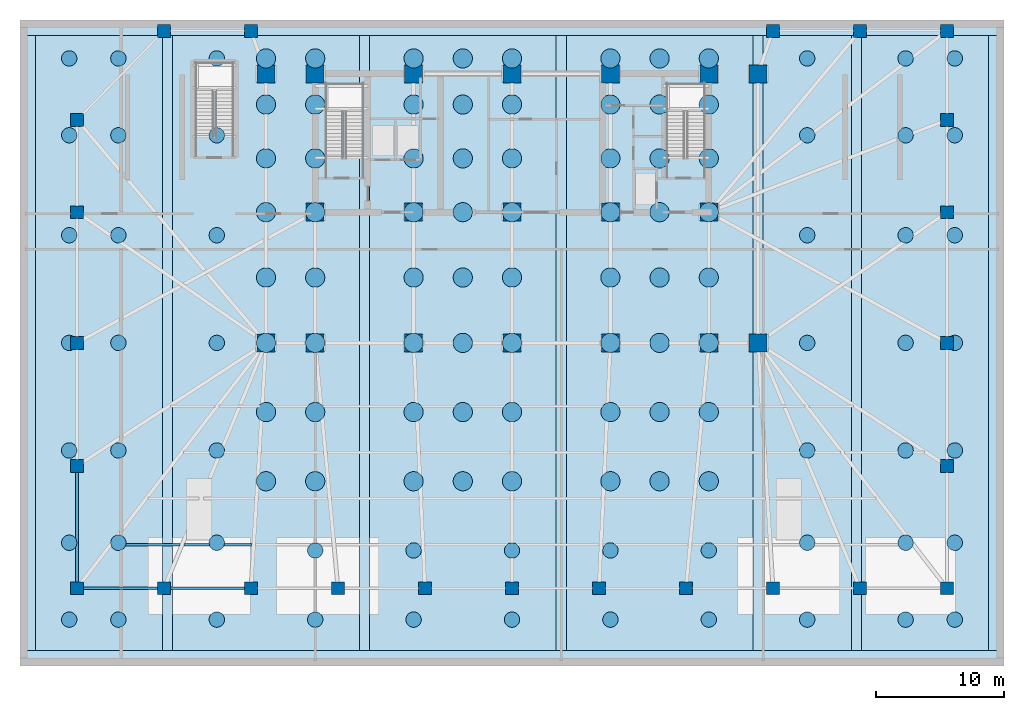
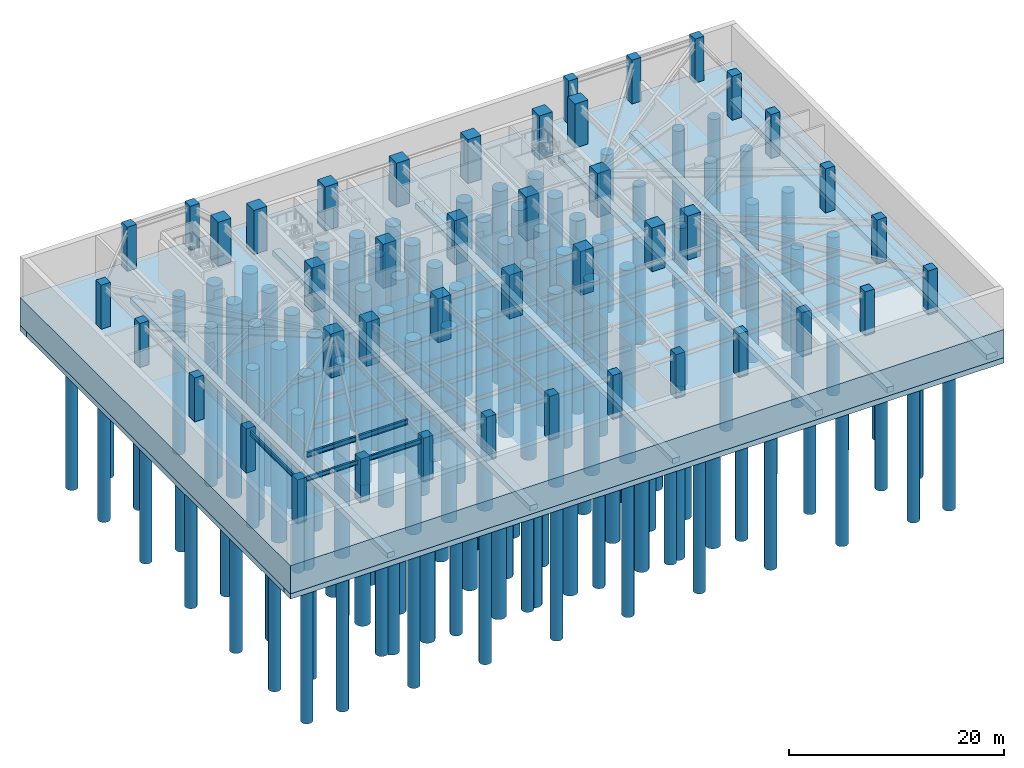
# One storey, part 1 of 9: 116 piles, 43 columns, 10 footings, 5 beams.
"""IFC4 building model written with IfcOpenShell, lengths in metres."""

from ifc_helpers import new_model, si_unit, direction, frame, origin, origin_2d, place, context, subcontext, project, spatial, polyline, rectangle, circle, i_section, outline, extrude, material, layer, layer_set, material_profile, profile_set, type_object, element, save


model = new_model("IFC4")

# Units and contexts
model_context = context("Model", 3, precision=1e-05, world=origin(), true_north=direction((0.0, 1.0)))
body_context = subcontext(model_context, "Body", "Model", "MODEL_VIEW")
ifc_project = project(units=[si_unit("LENGTHUNIT", "METRE"), si_unit("AREAUNIT", "SQUARE_METRE"), si_unit("VOLUMEUNIT", "CUBIC_METRE"), si_unit("PLANEANGLEUNIT", "RADIAN"), si_unit("MASSUNIT", "GRAM", prefix="KILO")], contexts=[model_context])

# Site, building, storey
site_placement = place(None, origin())
site = spatial("IfcSite", under=ifc_project, at=site_placement, CompositionType="ELEMENT")
building_placement = place(site_placement, origin())
building = spatial("IfcBuilding", under=site, at=building_placement, Name="Yelkora Congress Tower", CompositionType="ELEMENT")
storey_placement = place(building_placement, frame((0.0, 0.0, -10.0)))
storey = spatial("IfcBuildingStorey", under=building, at=storey_placement, Name="B02", CompositionType="ELEMENT", Elevation=-10.0)

# Footings
ifc_material_1 = material(Name="Concrete C50/60", Category="concrete")
ifc_layer_1 = layer(ifc_material_1, 0.60009765625)
ifc_layer_set_1 = layer_set([ifc_layer_1], Name="Concrete C50/60")
footing_type_1 = type_object("IfcFootingType", Name="FT-GBEAM-700", PredefinedType="FOOTING_BEAM", material=ifc_layer_set_1)
footing_1_placement = place(storey_placement, frame((0.0, 0.0, -3.800048828125)))
element("IfcFooting", 1, at=footing_1_placement, inside=storey, type_object=footing_type_1, Name="Foundation Stiffening Beam 1", PredefinedType="FOOTING_BEAM", context=body_context, shape_type="SweptSolid", body=[
    extrude(outline(polyline([(11.1201171875, 1.199951171875), (11.919921875, 1.199951171875), (11.919921875, 49.199951171875), (11.1201171875, 49.199951171875), (11.1201171875, 1.199951171875)])), origin(), (0.0, 0.0, 1.0), 0.60009765625),
])
footing_2_placement = place(storey_placement, frame((0.0, 0.0, -3.800048828125)))
element("IfcFooting", 2, at=footing_2_placement, inside=storey, type_object=footing_type_1, Name="Foundation Stiffening Beam 2", PredefinedType="FOOTING_BEAM", context=body_context, shape_type="SweptSolid", body=[
    extrude(outline(polyline([(26.47998046875, 1.199951171875), (27.280029296875, 1.199951171875), (27.280029296875, 49.199951171875), (26.47998046875, 49.199951171875), (26.47998046875, 1.199951171875)])), origin(), (0.0, 0.0, 1.0), 0.60009765625),
])
footing_3_placement = place(storey_placement, frame((0.0, 0.0, -3.800048828125)))
element("IfcFooting", 3, at=footing_3_placement, inside=storey, type_object=footing_type_1, Name="Foundation Stiffening Beam 3", PredefinedType="FOOTING_BEAM", context=body_context, shape_type="SweptSolid", body=[
    extrude(outline(polyline([(41.840087890625, 1.199951171875), (42.639892578125, 1.199951171875), (42.639892578125, 49.199951171875), (41.840087890625, 49.199951171875), (41.840087890625, 1.199951171875)])), origin(), (0.0, 0.0, 1.0), 0.60009765625),
])
footing_4_placement = place(storey_placement, frame((0.0, 0.0, -3.800048828125)))
element("IfcFooting", 4, at=footing_4_placement, inside=storey, type_object=footing_type_1, Name="Foundation Stiffening Beam 4", PredefinedType="FOOTING_BEAM", context=body_context, shape_type="SweptSolid", body=[
    extrude(outline(polyline([(57.199951171875, 1.199951171875), (58.0, 1.199951171875), (58.0, 49.199951171875), (57.199951171875, 49.199951171875), (57.199951171875, 1.199951171875)])), origin(), (0.0, 0.0, 1.0), 0.60009765625),
])
footing_5_placement = place(storey_placement, frame((0.0, 0.0, -3.800048828125)))
element("IfcFooting", 5, at=footing_5_placement, inside=storey, type_object=footing_type_1, Name="Foundation Stiffening Beam 5", PredefinedType="FOOTING_BEAM", context=body_context, shape_type="SweptSolid", body=[
    extrude(outline(polyline([(64.8798828125, 1.199951171875), (65.679931640625, 1.199951171875), (65.679931640625, 49.199951171875), (64.8798828125, 49.199951171875), (64.8798828125, 1.199951171875)])), origin(), (0.0, 0.0, 1.0), 0.60009765625),
])
ifc_layer_2 = layer(ifc_material_1, 3.199951171875)
ifc_layer_set_2 = layer_set([ifc_layer_2], Name="Concrete C50/60")
footing_type_2 = type_object("IfcFootingType", Name="FT-RAFT-3200", PredefinedType="PAD_FOOTING", material=ifc_layer_set_2)
footing_6_placement = place(storey_placement, frame((0.0, 0.0, -3.199951171875)))
element("IfcFooting", 6, at=footing_6_placement, inside=storey, type_object=footing_type_2, Name="Piled Raft Foundation FT-R1", PredefinedType="PAD_FOOTING", context=body_context, shape_type="SweptSolid", body=[
    extrude(outline(polyline([(0.0, 0.0), (76.800048828125, 0.0), (76.800048828125, 50.39990234375), (0.0, 50.39990234375), (0.0, 0.0)])), origin(), (0.0, 0.0, 1.0), 3.199951171875),
])
ifc_layer_3 = layer(ifc_material_1, 0.60009765625)
ifc_layer_set_3 = layer_set([ifc_layer_3], Name="Concrete C50/60")
footing_type_3 = type_object("IfcFootingType", Name="FT-STRIP-800", PredefinedType="STRIP_FOOTING", material=ifc_layer_set_3)
footing_7_placement = place(storey_placement, frame((0.0, 0.0, -3.800048828125)))
element("IfcFooting", 7, at=footing_7_placement, inside=storey, type_object=footing_type_3, Name="Perimeter Toe Strip Footing South", PredefinedType="STRIP_FOOTING", context=body_context, shape_type="SweptSolid", body=[
    extrude(outline(polyline([(0.0, 0.0), (76.800048828125, 0.0), (76.800048828125, 1.199951171875), (0.0, 1.199951171875), (0.0, 0.0)])), origin(), (0.0, 0.0, 1.0), 0.60009765625),
])
footing_8_placement = place(storey_placement, frame((0.0, 0.0, -3.800048828125)))
element("IfcFooting", 8, at=footing_8_placement, inside=storey, type_object=footing_type_3, Name="Perimeter Toe Strip Footing North", PredefinedType="STRIP_FOOTING", context=body_context, shape_type="SweptSolid", body=[
    extrude(outline(polyline([(0.0, 49.199951171875), (76.800048828125, 49.199951171875), (76.800048828125, 50.39990234375), (0.0, 50.39990234375), (0.0, 49.199951171875)])), origin(), (0.0, 0.0, 1.0), 0.60009765625),
])
ifc_layer_4 = layer(ifc_material_1, 0.60009765625)
ifc_layer_set_4 = layer_set([ifc_layer_4], Name="Concrete C50/60")
footing_type_4 = type_object("IfcFootingType", Name="FT-STRIP-EW-800", PredefinedType="STRIP_FOOTING", material=ifc_layer_set_4)
footing_9_placement = place(storey_placement, frame((0.0, 0.0, -3.800048828125)))
element("IfcFooting", 9, at=footing_9_placement, inside=storey, type_object=footing_type_4, Name="Perimeter Toe Strip Footing West", PredefinedType="STRIP_FOOTING", context=body_context, shape_type="SweptSolid", body=[
    extrude(outline(polyline([(0.0, 1.199951171875), (1.199951171875, 1.199951171875), (1.199951171875, 49.199951171875), (0.0, 49.199951171875), (0.0, 1.199951171875)])), origin(), (0.0, 0.0, 1.0), 0.60009765625),
])
footing_10_placement = place(storey_placement, frame((0.0, 0.0, -3.800048828125)))
element("IfcFooting", 10, at=footing_10_placement, inside=storey, type_object=footing_type_4, Name="Perimeter Toe Strip Footing East", PredefinedType="STRIP_FOOTING", context=body_context, shape_type="SweptSolid", body=[
    extrude(outline(polyline([(75.60009765625, 1.199951171875), (76.800048828125, 1.199951171875), (76.800048828125, 49.199951171875), (75.60009765625, 49.199951171875), (75.60009765625, 1.199951171875)])), origin(), (0.0, 0.0, 1.0), 0.60009765625),
])

# Piles
ifc_material_profile_1 = material_profile(ifc_material_1, circle(Radius=0.60009765625, at=origin_2d()), Name="PILE D1200")
ifc_profile_set_1 = profile_set([ifc_material_profile_1], Name="Concrete C50/60")
pile_type_1 = type_object("IfcPileType", Name="PILE-BORED-1200", PredefinedType="BORED", material=ifc_profile_set_1)
for number, where, z_axis, x_axis, name in (
    (11, (3.840087890625, 3.60009765625, -3.10009765625), (0.0, 0.0, -1.0), (1.0, 0.0, 0.0), "Podium Bored Pile D1200 1"),
    (12, (3.840087890625, 9.60009765625, -3.10009765625), (0.0, 0.0, -1.0), (1.0, 0.0, 0.0), "Podium Bored Pile D1200 2"),
    (13, (3.840087890625, 16.800048828125, -3.10009765625), (0.0, 0.0, -1.0), (1.0, 0.0, 0.0), "Podium Bored Pile D1200 3"),
    (14, (3.840087890625, 25.199951171875, -3.10009765625), (0.0, 0.0, -1.0), (1.0, 0.0, 0.0), "Podium Bored Pile D1200 4"),
    (15, (3.840087890625, 33.60009765625, -3.10009765625), (0.0, 0.0, -1.0), (1.0, 0.0, 0.0), "Podium Bored Pile D1200 5"),
    (16, (3.840087890625, 41.39990234375, -3.10009765625), (0.0, 0.0, -1.0), (1.0, 0.0, 0.0), "Podium Bored Pile D1200 6"),
    (17, (3.840087890625, 47.39990234375, -3.10009765625), (0.0, 0.0, -1.0), (1.0, 0.0, 0.0), "Podium Bored Pile D1200 7"),
    (18, (7.679931640625, 3.60009765625, -3.10009765625), (0.0, 0.0, -1.0), (1.0, 0.0, 0.0), "Podium Bored Pile D1200 8"),
    (19, (7.679931640625, 9.60009765625, -3.10009765625), (0.0, 0.0, -1.0), (1.0, 0.0, 0.0), "Podium Bored Pile D1200 9"),
    (20, (7.679931640625, 16.800048828125, -3.10009765625), (0.0, 0.0, -1.0), (1.0, 0.0, 0.0), "Podium Bored Pile D1200 10"),
    (21, (7.679931640625, 25.199951171875, -3.10009765625), (0.0, 0.0, -1.0), (1.0, 0.0, 0.0), "Podium Bored Pile D1200 11"),
    (22, (7.679931640625, 33.60009765625, -3.10009765625), (0.0, 0.0, -1.0), (1.0, 0.0, 0.0), "Podium Bored Pile D1200 12"),
    (23, (7.679931640625, 41.39990234375, -3.10009765625), (0.0, 0.0, -1.0), (1.0, 0.0, 0.0), "Podium Bored Pile D1200 13"),
    (24, (7.679931640625, 47.39990234375, -3.10009765625), (0.0, 0.0, -1.0), (1.0, 0.0, 0.0), "Podium Bored Pile D1200 14"),
    (25, (15.360107421875, 3.60009765625, -3.10009765625), (0.0, 0.0, -1.0), (1.0, 0.0, 0.0), "Podium Bored Pile D1200 15"),
    (26, (15.360107421875, 9.60009765625, -3.10009765625), (0.0, 0.0, -1.0), (1.0, 0.0, 0.0), "Podium Bored Pile D1200 16"),
    (27, (15.360107421875, 16.800048828125, -3.10009765625), (0.0, 0.0, -1.0), (1.0, 0.0, 0.0), "Podium Bored Pile D1200 17"),
    (28, (15.360107421875, 25.199951171875, -3.10009765625), (0.0, 0.0, -1.0), (1.0, 0.0, 0.0), "Podium Bored Pile D1200 18"),
    (29, (15.360107421875, 33.60009765625, -3.10009765625), (0.0, 0.0, -1.0), (1.0, 0.0, 0.0), "Podium Bored Pile D1200 19"),
    (30, (15.360107421875, 41.39990234375, -3.10009765625), (0.0, 0.0, -1.0), (1.0, 0.0, 0.0), "Podium Bored Pile D1200 20"),
    (31, (15.360107421875, 47.39990234375, -3.10009765625), (0.0, 0.0, -1.0), (1.0, 0.0, 0.0), "Podium Bored Pile D1200 21"),
    (32, (61.43994140625, 3.60009765625, -3.10009765625), (0.0, 0.0, -1.0), (1.0, 0.0, 0.0), "Podium Bored Pile D1200 22"),
    (33, (61.43994140625, 9.60009765625, -3.10009765625), (0.0, 0.0, -1.0), (1.0, 0.0, 0.0), "Podium Bored Pile D1200 23"),
    (34, (61.43994140625, 16.800048828125, -3.10009765625), (0.0, 0.0, -1.0), (1.0, 0.0, 0.0), "Podium Bored Pile D1200 24"),
    (35, (61.43994140625, 25.199951171875, -3.10009765625), (0.0, 0.0, -1.0), (1.0, 0.0, 0.0), "Podium Bored Pile D1200 25"),
    (36, (61.43994140625, 33.60009765625, -3.10009765625), (0.0, 0.0, -1.0), (1.0, 0.0, 0.0), "Podium Bored Pile D1200 26"),
    (37, (61.43994140625, 41.39990234375, -3.10009765625), (0.0, 0.0, -1.0), (1.0, 0.0, 0.0), "Podium Bored Pile D1200 27"),
    (38, (61.43994140625, 47.39990234375, -3.10009765625), (0.0, 0.0, -1.0), (1.0, 0.0, 0.0), "Podium Bored Pile D1200 28"),
    (39, (69.1201171875, 3.60009765625, -3.10009765625), (0.0, 0.0, -1.0), (1.0, 0.0, 0.0), "Podium Bored Pile D1200 29"),
    (40, (69.1201171875, 9.60009765625, -3.10009765625), (0.0, 0.0, -1.0), (1.0, 0.0, 0.0), "Podium Bored Pile D1200 30"),
    (41, (69.1201171875, 16.800048828125, -3.10009765625), (0.0, 0.0, -1.0), (1.0, 0.0, 0.0), "Podium Bored Pile D1200 31"),
    (42, (69.1201171875, 25.199951171875, -3.10009765625), (0.0, 0.0, -1.0), (1.0, 0.0, 0.0), "Podium Bored Pile D1200 32"),
    (43, (69.1201171875, 33.60009765625, -3.10009765625), (0.0, 0.0, -1.0), (1.0, 0.0, 0.0), "Podium Bored Pile D1200 33"),
    (44, (69.1201171875, 41.39990234375, -3.10009765625), (0.0, 0.0, -1.0), (1.0, 0.0, 0.0), "Podium Bored Pile D1200 34"),
    (45, (69.1201171875, 47.39990234375, -3.10009765625), (0.0, 0.0, -1.0), (1.0, 0.0, 0.0), "Podium Bored Pile D1200 35"),
    (46, (72.9599609375, 3.60009765625, -3.10009765625), (0.0, 0.0, -1.0), (1.0, 0.0, 0.0), "Podium Bored Pile D1200 36"),
    (47, (72.9599609375, 9.60009765625, -3.10009765625), (0.0, 0.0, -1.0), (1.0, 0.0, 0.0), "Podium Bored Pile D1200 37"),
    (48, (72.9599609375, 16.800048828125, -3.10009765625), (0.0, 0.0, -1.0), (1.0, 0.0, 0.0), "Podium Bored Pile D1200 38"),
    (49, (72.9599609375, 25.199951171875, -3.10009765625), (0.0, 0.0, -1.0), (1.0, 0.0, 0.0), "Podium Bored Pile D1200 39"),
    (50, (72.9599609375, 33.60009765625, -3.10009765625), (0.0, 0.0, -1.0), (1.0, 0.0, 0.0), "Podium Bored Pile D1200 40"),
    (51, (72.9599609375, 41.39990234375, -3.10009765625), (0.0, 0.0, -1.0), (1.0, 0.0, 0.0), "Podium Bored Pile D1200 41"),
    (52, (72.9599609375, 47.39990234375, -3.10009765625), (0.0, 0.0, -1.0), (1.0, 0.0, 0.0), "Podium Bored Pile D1200 42"),
    (53, (23.0400390625, 3.60009765625, -3.10009765625), (0.0, 0.0, -1.0), (1.0, 0.0, 0.0), "Podium Bored Pile D1200 43"),
    (54, (23.0400390625, 9.0, -3.10009765625), (0.0, 0.0, -1.0), (1.0, 0.0, 0.0), "Podium Bored Pile D1200 44"),
    (55, (30.719970703125, 3.60009765625, -3.10009765625), (0.0, 0.0, -1.0), (1.0, 0.0, 0.0), "Podium Bored Pile D1200 45"),
    (56, (30.719970703125, 9.0, -3.10009765625), (0.0, 0.0, -1.0), (1.0, 0.0, 0.0), "Podium Bored Pile D1200 46"),
    (57, (38.39990234375, 3.60009765625, -3.10009765625), (0.0, 0.0, -1.0), (1.0, 0.0, 0.0), "Podium Bored Pile D1200 47"),
    (58, (38.39990234375, 9.0, -3.10009765625), (0.0, 0.0, -1.0), (1.0, 0.0, 0.0), "Podium Bored Pile D1200 48"),
    (59, (46.080078125, 3.60009765625, -3.10009765625), (0.0, 0.0, -1.0), (1.0, 0.0, 0.0), "Podium Bored Pile D1200 49"),
    (60, (46.080078125, 9.0, -3.10009765625), (0.0, 0.0, -1.0), (1.0, 0.0, 0.0), "Podium Bored Pile D1200 50"),
    (61, (53.760009765625, 3.60009765625, -3.10009765625), (0.0, 0.0, -1.0), (1.0, 0.0, 0.0), "Podium Bored Pile D1200 51"),
    (62, (53.760009765625, 9.0, -3.10009765625), (0.0, 0.0, -1.0), (1.0, 0.0, 0.0), "Podium Bored Pile D1200 52"),
):
    element("IfcPile", number, at=place(storey_placement, frame(where, z_axis=z_axis, x_axis=x_axis)), inside=storey, type_object=pile_type_1, Name=name, PredefinedType="BORED", context=body_context, shape_type="SweptSolid", body=[
        extrude(circle(Radius=0.60009765625, at=origin_2d()), origin(), (0.0, 0.0, 1.0), 18.0),
    ])
ifc_material_profile_2 = material_profile(ifc_material_1, circle(Radius=0.75, at=origin_2d()), Name="PILE D1500")
ifc_profile_set_2 = profile_set([ifc_material_profile_2], Name="Concrete C50/60")
pile_type_2 = type_object("IfcPileType", Name="PILE-BORED-1500", PredefinedType="BORED", material=ifc_profile_set_2)
for number, where, z_axis, x_axis, name in (
    (63, (19.199951171875, 14.39990234375, -3.10009765625), (0.0, 0.0, -1.0), (1.0, 0.0, 0.0), "Core Bored Pile D1500 1-1"),
    (64, (19.199951171875, 19.800048828125, -3.10009765625), (0.0, 0.0, -1.0), (1.0, 0.0, 0.0), "Core Bored Pile D1500 1-2"),
    (65, (19.199951171875, 25.199951171875, -3.10009765625), (0.0, 0.0, -1.0), (1.0, 0.0, 0.0), "Core Bored Pile D1500 1-3"),
    (66, (19.199951171875, 30.300048828125, -3.10009765625), (0.0, 0.0, -1.0), (1.0, 0.0, 0.0), "Core Bored Pile D1500 1-4"),
    (67, (19.199951171875, 35.39990234375, -3.10009765625), (0.0, 0.0, -1.0), (1.0, 0.0, 0.0), "Core Bored Pile D1500 1-5"),
    (68, (19.199951171875, 39.60009765625, -3.10009765625), (0.0, 0.0, -1.0), (1.0, 0.0, 0.0), "Core Bored Pile D1500 1-6"),
    (69, (19.199951171875, 43.800048828125, -3.10009765625), (0.0, 0.0, -1.0), (1.0, 0.0, 0.0), "Core Bored Pile D1500 1-7"),
    (70, (19.199951171875, 47.39990234375, -3.10009765625), (0.0, 0.0, -1.0), (1.0, 0.0, 0.0), "Core Bored Pile D1500 1-8"),
    (71, (23.0400390625, 14.39990234375, -3.10009765625), (0.0, 0.0, -1.0), (1.0, 0.0, 0.0), "Core Bored Pile D1500 2-1"),
    (72, (23.0400390625, 19.800048828125, -3.10009765625), (0.0, 0.0, -1.0), (1.0, 0.0, 0.0), "Core Bored Pile D1500 2-2"),
    (73, (23.0400390625, 25.199951171875, -3.10009765625), (0.0, 0.0, -1.0), (1.0, 0.0, 0.0), "Core Bored Pile D1500 2-3"),
    (74, (23.0400390625, 30.300048828125, -3.10009765625), (0.0, 0.0, -1.0), (1.0, 0.0, 0.0), "Core Bored Pile D1500 2-4"),
    (75, (23.0400390625, 35.39990234375, -3.10009765625), (0.0, 0.0, -1.0), (1.0, 0.0, 0.0), "Core Bored Pile D1500 2-5"),
    (76, (23.0400390625, 39.60009765625, -3.10009765625), (0.0, 0.0, -1.0), (1.0, 0.0, 0.0), "Core Bored Pile D1500 2-6"),
    (77, (23.0400390625, 43.800048828125, -3.10009765625), (0.0, 0.0, -1.0), (1.0, 0.0, 0.0), "Core Bored Pile D1500 2-7"),
    (78, (23.0400390625, 47.39990234375, -3.10009765625), (0.0, 0.0, -1.0), (1.0, 0.0, 0.0), "Core Bored Pile D1500 2-8"),
    (79, (30.719970703125, 14.39990234375, -3.10009765625), (0.0, 0.0, -1.0), (1.0, 0.0, 0.0), "Core Bored Pile D1500 3-1"),
    (80, (30.719970703125, 19.800048828125, -3.10009765625), (0.0, 0.0, -1.0), (1.0, 0.0, 0.0), "Core Bored Pile D1500 3-2"),
    (81, (30.719970703125, 25.199951171875, -3.10009765625), (0.0, 0.0, -1.0), (1.0, 0.0, 0.0), "Core Bored Pile D1500 3-3"),
    (82, (30.719970703125, 30.300048828125, -3.10009765625), (0.0, 0.0, -1.0), (1.0, 0.0, 0.0), "Core Bored Pile D1500 3-4"),
    (83, (30.719970703125, 35.39990234375, -3.10009765625), (0.0, 0.0, -1.0), (1.0, 0.0, 0.0), "Core Bored Pile D1500 3-5"),
    (84, (30.719970703125, 39.60009765625, -3.10009765625), (0.0, 0.0, -1.0), (1.0, 0.0, 0.0), "Core Bored Pile D1500 3-6"),
    (85, (30.719970703125, 43.800048828125, -3.10009765625), (0.0, 0.0, -1.0), (1.0, 0.0, 0.0), "Core Bored Pile D1500 3-7"),
    (86, (30.719970703125, 47.39990234375, -3.10009765625), (0.0, 0.0, -1.0), (1.0, 0.0, 0.0), "Core Bored Pile D1500 3-8"),
    (87, (34.56005859375, 14.39990234375, -3.10009765625), (0.0, 0.0, -1.0), (1.0, 0.0, 0.0), "Core Bored Pile D1500 4-1"),
    (88, (34.56005859375, 19.800048828125, -3.10009765625), (0.0, 0.0, -1.0), (1.0, 0.0, 0.0), "Core Bored Pile D1500 4-2"),
    (89, (34.56005859375, 25.199951171875, -3.10009765625), (0.0, 0.0, -1.0), (1.0, 0.0, 0.0), "Core Bored Pile D1500 4-3"),
    (90, (34.56005859375, 30.300048828125, -3.10009765625), (0.0, 0.0, -1.0), (1.0, 0.0, 0.0), "Core Bored Pile D1500 4-4"),
    (91, (34.56005859375, 35.39990234375, -3.10009765625), (0.0, 0.0, -1.0), (1.0, 0.0, 0.0), "Core Bored Pile D1500 4-5"),
    (92, (34.56005859375, 39.60009765625, -3.10009765625), (0.0, 0.0, -1.0), (1.0, 0.0, 0.0), "Core Bored Pile D1500 4-6"),
    (93, (34.56005859375, 43.800048828125, -3.10009765625), (0.0, 0.0, -1.0), (1.0, 0.0, 0.0), "Core Bored Pile D1500 4-7"),
    (94, (34.56005859375, 47.39990234375, -3.10009765625), (0.0, 0.0, -1.0), (1.0, 0.0, 0.0), "Core Bored Pile D1500 4-8"),
    (95, (38.39990234375, 14.39990234375, -3.10009765625), (0.0, 0.0, -1.0), (1.0, 0.0, 0.0), "Core Bored Pile D1500 5-1"),
    (96, (38.39990234375, 19.800048828125, -3.10009765625), (0.0, 0.0, -1.0), (1.0, 0.0, 0.0), "Core Bored Pile D1500 5-2"),
    (97, (38.39990234375, 25.199951171875, -3.10009765625), (0.0, 0.0, -1.0), (1.0, 0.0, 0.0), "Core Bored Pile D1500 5-3"),
    (98, (38.39990234375, 30.300048828125, -3.10009765625), (0.0, 0.0, -1.0), (1.0, 0.0, 0.0), "Core Bored Pile D1500 5-4"),
    (99, (38.39990234375, 35.39990234375, -3.10009765625), (0.0, 0.0, -1.0), (1.0, 0.0, 0.0), "Core Bored Pile D1500 5-5"),
    (100, (38.39990234375, 39.60009765625, -3.10009765625), (0.0, 0.0, -1.0), (1.0, 0.0, 0.0), "Core Bored Pile D1500 5-6"),
    (101, (38.39990234375, 43.800048828125, -3.10009765625), (0.0, 0.0, -1.0), (1.0, 0.0, 0.0), "Core Bored Pile D1500 5-7"),
    (102, (38.39990234375, 47.39990234375, -3.10009765625), (0.0, 0.0, -1.0), (1.0, 0.0, 0.0), "Core Bored Pile D1500 5-8"),
    (103, (46.080078125, 14.39990234375, -3.10009765625), (0.0, 0.0, -1.0), (1.0, 0.0, 0.0), "Core Bored Pile D1500 6-1"),
    (104, (46.080078125, 19.800048828125, -3.10009765625), (0.0, 0.0, -1.0), (1.0, 0.0, 0.0), "Core Bored Pile D1500 6-2"),
    (105, (46.080078125, 25.199951171875, -3.10009765625), (0.0, 0.0, -1.0), (1.0, 0.0, 0.0), "Core Bored Pile D1500 6-3"),
    (106, (46.080078125, 30.300048828125, -3.10009765625), (0.0, 0.0, -1.0), (1.0, 0.0, 0.0), "Core Bored Pile D1500 6-4"),
    (107, (46.080078125, 35.39990234375, -3.10009765625), (0.0, 0.0, -1.0), (1.0, 0.0, 0.0), "Core Bored Pile D1500 6-5"),
    (108, (46.080078125, 39.60009765625, -3.10009765625), (0.0, 0.0, -1.0), (1.0, 0.0, 0.0), "Core Bored Pile D1500 6-6"),
    (109, (46.080078125, 43.800048828125, -3.10009765625), (0.0, 0.0, -1.0), (1.0, 0.0, 0.0), "Core Bored Pile D1500 6-7"),
    (110, (46.080078125, 47.39990234375, -3.10009765625), (0.0, 0.0, -1.0), (1.0, 0.0, 0.0), "Core Bored Pile D1500 6-8"),
    (111, (49.919921875, 14.39990234375, -3.10009765625), (0.0, 0.0, -1.0), (1.0, 0.0, 0.0), "Core Bored Pile D1500 7-1"),
    (112, (49.919921875, 19.800048828125, -3.10009765625), (0.0, 0.0, -1.0), (1.0, 0.0, 0.0), "Core Bored Pile D1500 7-2"),
    (113, (49.919921875, 25.199951171875, -3.10009765625), (0.0, 0.0, -1.0), (1.0, 0.0, 0.0), "Core Bored Pile D1500 7-3"),
    (114, (49.919921875, 30.300048828125, -3.10009765625), (0.0, 0.0, -1.0), (1.0, 0.0, 0.0), "Core Bored Pile D1500 7-4"),
    (115, (49.919921875, 35.39990234375, -3.10009765625), (0.0, 0.0, -1.0), (1.0, 0.0, 0.0), "Core Bored Pile D1500 7-5"),
    (116, (49.919921875, 39.60009765625, -3.10009765625), (0.0, 0.0, -1.0), (1.0, 0.0, 0.0), "Core Bored Pile D1500 7-6"),
    (117, (49.919921875, 43.800048828125, -3.10009765625), (0.0, 0.0, -1.0), (1.0, 0.0, 0.0), "Core Bored Pile D1500 7-7"),
    (118, (49.919921875, 47.39990234375, -3.10009765625), (0.0, 0.0, -1.0), (1.0, 0.0, 0.0), "Core Bored Pile D1500 7-8"),
    (119, (53.760009765625, 14.39990234375, -3.10009765625), (0.0, 0.0, -1.0), (1.0, 0.0, 0.0), "Core Bored Pile D1500 8-1"),
    (120, (53.760009765625, 19.800048828125, -3.10009765625), (0.0, 0.0, -1.0), (1.0, 0.0, 0.0), "Core Bored Pile D1500 8-2"),
    (121, (53.760009765625, 25.199951171875, -3.10009765625), (0.0, 0.0, -1.0), (1.0, 0.0, 0.0), "Core Bored Pile D1500 8-3"),
    (122, (53.760009765625, 30.300048828125, -3.10009765625), (0.0, 0.0, -1.0), (1.0, 0.0, 0.0), "Core Bored Pile D1500 8-4"),
    (123, (53.760009765625, 35.39990234375, -3.10009765625), (0.0, 0.0, -1.0), (1.0, 0.0, 0.0), "Core Bored Pile D1500 8-5"),
    (124, (53.760009765625, 39.60009765625, -3.10009765625), (0.0, 0.0, -1.0), (1.0, 0.0, 0.0), "Core Bored Pile D1500 8-6"),
    (125, (53.760009765625, 43.800048828125, -3.10009765625), (0.0, 0.0, -1.0), (1.0, 0.0, 0.0), "Core Bored Pile D1500 8-7"),
    (126, (53.760009765625, 47.39990234375, -3.10009765625), (0.0, 0.0, -1.0), (1.0, 0.0, 0.0), "Core Bored Pile D1500 8-8"),
):
    element("IfcPile", number, at=place(storey_placement, frame(where, z_axis=z_axis, x_axis=x_axis)), inside=storey, type_object=pile_type_2, Name=name, PredefinedType="BORED", context=body_context, shape_type="SweptSolid", body=[
        extrude(circle(Radius=0.75, at=origin_2d()), origin(), (0.0, 0.0, 1.0), 22.0),
    ])

# Columns
ifc_material_profile_3 = material_profile(ifc_material_1, rectangle(XDim=1.0, YDim=1.0, at=origin_2d()), Name="RC 1000x1000")
ifc_profile_set_3 = profile_set([ifc_material_profile_3], Name="Concrete C50/60")
column_type_1 = type_object("IfcColumnType", Name="COL-RC-1000", PredefinedType="COLUMN", material=ifc_profile_set_3)
for number, where, z_axis, x_axis, name in (
    (127, (4.449951171875, 6.050048828125, 0.0), (0.0, 0.0, 1.0), (1.0, 0.0, 0.0), "B02 Podium Column PS01"),
    (128, (11.239990234375, 6.050048828125, 0.0), (0.0, 0.0, 1.0), (1.0, 0.0, 0.0), "B02 Podium Column PS02"),
    (129, (11.239990234375, 49.550048828125, 0.0), (0.0, 0.0, 1.0), (1.0, 0.0, 0.0), "B02 Podium North Column PN02"),
    (130, (18.030029296875, 6.050048828125, 0.0), (0.0, 0.0, 1.0), (1.0, 0.0, 0.0), "B02 Podium Column PS03"),
    (131, (18.030029296875, 49.550048828125, 0.0), (0.0, 0.0, 1.0), (1.0, 0.0, 0.0), "B02 Podium North Column PN03"),
    (132, (24.820068359375, 6.050048828125, 0.0), (0.0, 0.0, 1.0), (1.0, 0.0, 0.0), "B02 Podium Column PS04"),
    (133, (31.610107421875, 6.050048828125, 0.0), (0.0, 0.0, 1.0), (1.0, 0.0, 0.0), "B02 Podium Column PS05"),
    (134, (38.39990234375, 6.050048828125, 0.0), (0.0, 0.0, 1.0), (1.0, 0.0, 0.0), "B02 Podium Column PS06"),
    (135, (45.18994140625, 6.050048828125, 0.0), (0.0, 0.0, 1.0), (1.0, 0.0, 0.0), "B02 Podium Column PS07"),
    (136, (51.97998046875, 6.050048828125, 0.0), (0.0, 0.0, 1.0), (1.0, 0.0, 0.0), "B02 Podium Column PS08"),
    (137, (58.77001953125, 6.050048828125, 0.0), (0.0, 0.0, 1.0), (1.0, 0.0, 0.0), "B02 Podium Column PS09"),
    (138, (58.77001953125, 49.550048828125, 0.0), (0.0, 0.0, 1.0), (1.0, 0.0, 0.0), "B02 Podium North Column PN09"),
    (139, (65.56005859375, 6.050048828125, 0.0), (0.0, 0.0, 1.0), (1.0, 0.0, 0.0), "B02 Podium Column PS10"),
    (140, (65.56005859375, 49.550048828125, 0.0), (0.0, 0.0, 1.0), (1.0, 0.0, 0.0), "B02 Podium North Column PN10"),
    (141, (72.35009765625, 6.050048828125, 0.0), (0.0, 0.0, 1.0), (1.0, 0.0, 0.0), "B02 Podium Column PS11"),
    (142, (72.35009765625, 49.550048828125, 0.0), (0.0, 0.0, 1.0), (1.0, 0.0, 0.0), "B02 Podium North Column PN11"),
    (143, (4.449951171875, 15.60009765625, 0.0), (0.0, 0.0, 1.0), (1.0, 0.0, 0.0), "B02 Podium Flank Column PW1"),
    (144, (72.35009765625, 15.60009765625, 0.0), (0.0, 0.0, 1.0), (1.0, 0.0, 0.0), "B02 Podium Flank Column PE1"),
    (145, (4.449951171875, 25.199951171875, 0.0), (0.0, 0.0, 1.0), (1.0, 0.0, 0.0), "B02 Podium Flank Column PW2"),
    (146, (72.35009765625, 25.199951171875, 0.0), (0.0, 0.0, 1.0), (1.0, 0.0, 0.0), "B02 Podium Flank Column PE2"),
    (147, (4.449951171875, 35.39990234375, 0.0), (0.0, 0.0, 1.0), (1.0, 0.0, 0.0), "B02 Podium Flank Column PW3"),
    (148, (72.35009765625, 35.39990234375, 0.0), (0.0, 0.0, 1.0), (1.0, 0.0, 0.0), "B02 Podium Flank Column PE3"),
    (149, (4.449951171875, 42.60009765625, 0.0), (0.0, 0.0, 1.0), (1.0, 0.0, 0.0), "B02 Podium Flank Column PW4"),
    (150, (72.35009765625, 42.60009765625, 0.0), (0.0, 0.0, 1.0), (1.0, 0.0, 0.0), "B02 Podium Flank Column PE4"),
):
    element("IfcColumn", number, at=place(storey_placement, frame(where, z_axis=z_axis, x_axis=x_axis)), inside=storey, type_object=column_type_1, Name=name, PredefinedType="COLUMN", context=body_context, shape_type="SweptSolid", body=[
        extrude(rectangle(XDim=1.0, YDim=1.0, at=origin_2d()), origin(), (0.0, 0.0, 1.0), 5.0),
    ])
ifc_material_2 = material(Name="Concrete C60/75", Category="concrete")
ifc_material_profile_4 = material_profile(ifc_material_2, rectangle(XDim=1.39990234375, YDim=1.39990234375, at=origin_2d()), Name="RC 1400x1400")
ifc_profile_set_4 = profile_set([ifc_material_profile_4], Name="Concrete C60/75")
column_type_2 = type_object("IfcColumnType", Name="COL-RC-1400", PredefinedType="COLUMN", material=ifc_profile_set_4)
for number, where, z_axis, x_axis, name in (
    (151, (23.0400390625, 35.39990234375, 0.0), (0.0, 0.0, 1.0), (1.0, 0.0, 0.0), "B02 Mega Column MC-S1"),
    (152, (23.0400390625, 46.199951171875, 0.0), (0.0, 0.0, 1.0), (1.0, 0.0, 0.0), "B02 Mega Column MC-N1"),
    (153, (23.0400390625, 25.199951171875, 0.0), (0.0, 0.0, 1.0), (1.0, 0.0, 0.0), "B02 Mega Column MC-D1"),
    (154, (30.719970703125, 35.39990234375, 0.0), (0.0, 0.0, 1.0), (1.0, 0.0, 0.0), "B02 Mega Column MC-S2"),
    (155, (30.719970703125, 46.199951171875, 0.0), (0.0, 0.0, 1.0), (1.0, 0.0, 0.0), "B02 Mega Column MC-N2"),
    (156, (30.719970703125, 25.199951171875, 0.0), (0.0, 0.0, 1.0), (1.0, 0.0, 0.0), "B02 Mega Column MC-D2"),
    (157, (38.39990234375, 35.39990234375, 0.0), (0.0, 0.0, 1.0), (1.0, 0.0, 0.0), "B02 Mega Column MC-S3"),
    (158, (38.39990234375, 46.199951171875, 0.0), (0.0, 0.0, 1.0), (1.0, 0.0, 0.0), "B02 Mega Column MC-N3"),
    (159, (38.39990234375, 25.199951171875, 0.0), (0.0, 0.0, 1.0), (1.0, 0.0, 0.0), "B02 Mega Column MC-D3"),
    (160, (46.080078125, 35.39990234375, 0.0), (0.0, 0.0, 1.0), (1.0, 0.0, 0.0), "B02 Mega Column MC-S4"),
    (161, (46.080078125, 46.199951171875, 0.0), (0.0, 0.0, 1.0), (1.0, 0.0, 0.0), "B02 Mega Column MC-N4"),
    (162, (46.080078125, 25.199951171875, 0.0), (0.0, 0.0, 1.0), (1.0, 0.0, 0.0), "B02 Mega Column MC-D4"),
    (163, (53.760009765625, 35.39990234375, 0.0), (0.0, 0.0, 1.0), (1.0, 0.0, 0.0), "B02 Mega Column MC-S5"),
    (164, (53.760009765625, 46.199951171875, 0.0), (0.0, 0.0, 1.0), (1.0, 0.0, 0.0), "B02 Mega Column MC-N5"),
    (165, (53.760009765625, 25.199951171875, 0.0), (0.0, 0.0, 1.0), (1.0, 0.0, 0.0), "B02 Mega Column MC-D5"),
    (166, (19.199951171875, 25.199951171875, 0.0), (0.0, 0.0, 1.0), (1.0, 0.0, 0.0), "B02 Mega Column MC-F1"),
    (167, (57.60009765625, 25.199951171875, 0.0), (0.0, 0.0, 1.0), (1.0, 0.0, 0.0), "B02 Mega Column MC-F2"),
    (168, (19.199951171875, 46.199951171875, 0.0), (0.0, 0.0, 1.0), (1.0, 0.0, 0.0), "B02 Mega Column MC-F3"),
    (169, (57.60009765625, 46.199951171875, 0.0), (0.0, 0.0, 1.0), (1.0, 0.0, 0.0), "B02 Mega Column MC-F4"),
):
    element("IfcColumn", number, at=place(storey_placement, frame(where, z_axis=z_axis, x_axis=x_axis)), inside=storey, type_object=column_type_2, Name=name, PredefinedType="COLUMN", context=body_context, shape_type="SweptSolid", body=[
        extrude(rectangle(XDim=1.39990234375, YDim=1.39990234375, at=origin_2d()), origin(), (0.0, 0.0, 1.0), 5.0),
    ])

# Beams
ifc_material_3 = material(Name="Steel S355J2", Category="steel")
ifc_material_profile_5 = material_profile(ifc_material_3, i_section(OverallWidth=0.2099609375, OverallDepth=0.550048828125, WebThickness=0.010986328125, FlangeThickness=0.01708984375, FilletRadius=0.02392578125, at=origin_2d()), Name="IPE 550")
ifc_profile_set_5 = profile_set([ifc_material_profile_5], Name="Steel S355J2")
beam_type_1 = type_object("IfcBeamType", Name="BM-JOIST-IPE550", PredefinedType="JOIST", material=ifc_profile_set_5)
beam_1_placement = place(storey_placement, frame((7.228759765625, 9.449951171875, 4.375), z_axis=(1.0, 0.0, 0.0), x_axis=(0.0, 1.0, 0.0)))
element("IfcBeam", 170, at=beam_1_placement, inside=storey, type_object=beam_type_1, Name="B02 Composite Floor Joist 1", PredefinedType="JOIST", context=body_context, shape_type="SweptSolid", body=[
    extrude(i_section(OverallWidth=0.2099609375, OverallDepth=0.550048828125, WebThickness=0.010986328125, FlangeThickness=0.01708984375, FilletRadius=0.02392578125, at=origin_2d()), origin(), (0.0, 0.0, 1.0), 5.2646484375),
])
beam_2_placement = place(storey_placement, frame((12.813232421875, 9.449951171875, 4.375), z_axis=(1.0, 0.0, 0.0), x_axis=(0.0, 1.0, 0.0)))
element("IfcBeam", 171, at=beam_2_placement, inside=storey, type_object=beam_type_1, Name="B02 Composite Floor Joist 2", PredefinedType="JOIST", context=body_context, shape_type="SweptSolid", body=[
    extrude(i_section(OverallWidth=0.2099609375, OverallDepth=0.550048828125, WebThickness=0.010986328125, FlangeThickness=0.01708984375, FilletRadius=0.02392578125, at=origin_2d()), origin(), (0.0, 0.0, 1.0), 5.264404296875),
])
ifc_material_profile_6 = material_profile(ifc_material_3, i_section(OverallWidth=0.199951171875, OverallDepth=0.5, WebThickness=0.01025390625, FlangeThickness=0.01611328125, FilletRadius=0.02099609375, at=origin_2d()), Name="IPE 500")
ifc_profile_set_6 = profile_set([ifc_material_profile_6], Name="Steel S355J2")
beam_type_2 = type_object("IfcBeamType", Name="BM-SPAN-IPE500B", PredefinedType="BEAM", material=ifc_profile_set_6)
beam_3_placement = place(storey_placement, frame((4.449951171875, 15.60009765625, 4.39990234375), z_axis=(0.0, -1.0, 0.0), x_axis=(1.0, 0.0, 0.0)))
element("IfcBeam", 172, at=beam_3_placement, inside=storey, type_object=beam_type_2, Name="B02 Perimeter Beam 1", PredefinedType="BEAM", context=body_context, shape_type="SweptSolid", body=[
    extrude(i_section(OverallWidth=0.199951171875, OverallDepth=0.5, WebThickness=0.01025390625, FlangeThickness=0.01611328125, FilletRadius=0.02099609375, at=origin_2d()), origin(), (0.0, 0.0, 1.0), 9.550048828125),
])
for number, where, z_axis, x_axis, name in (
    (173, (4.449951171875, 6.050048828125, 4.39990234375), (1.0, 0.0, 0.0), (0.0, 1.0, 0.0), "B02 Perimeter Beam 2"),
    (174, (11.239990234375, 6.050048828125, 4.39990234375), (1.0, 0.0, 0.0), (0.0, 1.0, 0.0), "B02 Perimeter Beam 3"),
):
    element("IfcBeam", number, at=place(storey_placement, frame(where, z_axis=z_axis, x_axis=x_axis)), inside=storey, type_object=beam_type_2, Name=name, PredefinedType="BEAM", context=body_context, shape_type="SweptSolid", body=[
        extrude(i_section(OverallWidth=0.199951171875, OverallDepth=0.5, WebThickness=0.01025390625, FlangeThickness=0.01611328125, FilletRadius=0.02099609375, at=origin_2d()), origin(), (0.0, 0.0, 1.0), 6.7900390625),
    ])

save(model, "model.ifc")
